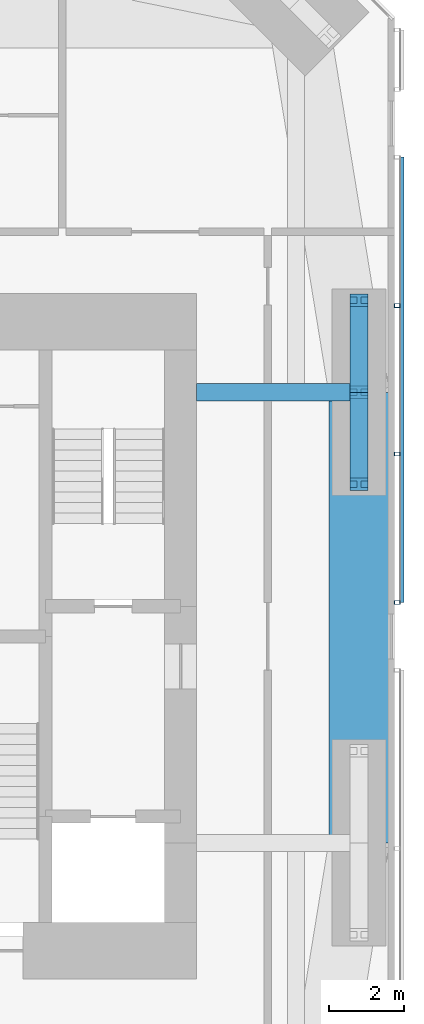
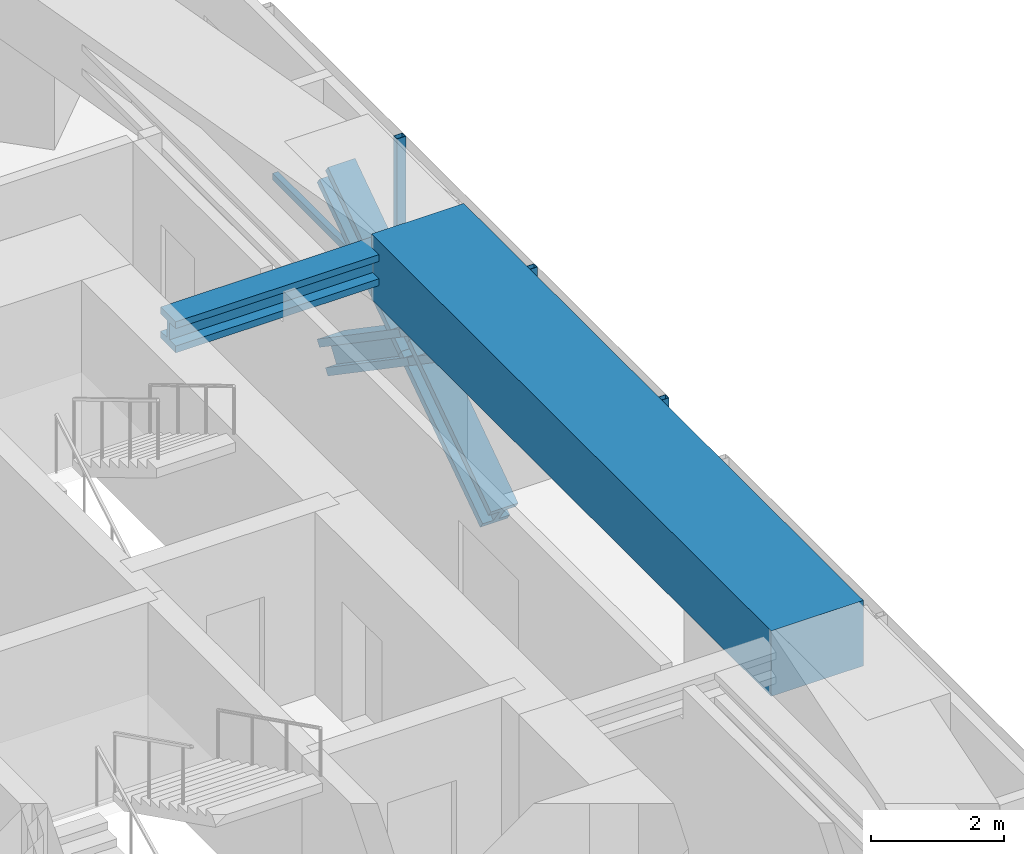
# One storey, part 9 of 23: 8 members, 2 beams, 1 element without a shape of its own.
"""IFC4 building model written with IfcOpenShell, lengths in metres."""

from ifc_helpers import new_model, si_unit, direction, frame, origin, origin_2d, place, context, subcontext, project, spatial, rectangle, hollow_rectangle, i_section, extrude, material, material_profile, profile_set, type_object, element, aggregate, save


model = new_model("IFC4")

# Units and contexts
model_context = context("Model", 3, precision=1e-05, world=origin(), true_north=direction((0.0, 1.0)))
body_context = subcontext(model_context, "Body", "Model", "MODEL_VIEW")
ifc_project = project(units=[si_unit("LENGTHUNIT", "METRE"), si_unit("AREAUNIT", "SQUARE_METRE"), si_unit("VOLUMEUNIT", "CUBIC_METRE"), si_unit("PLANEANGLEUNIT", "RADIAN"), si_unit("MASSUNIT", "GRAM", prefix="KILO")], contexts=[model_context])

# Site, building, storey
site_placement = place(None, origin())
site = spatial("IfcSite", under=ifc_project, at=site_placement, CompositionType="ELEMENT")
building_placement = place(site_placement, origin())
building = spatial("IfcBuilding", under=site, at=building_placement, Name="Jalousie Tower", CompositionType="ELEMENT")
storey_placement = place(building_placement, frame((0.0, 0.0, 108.199951171875)))
storey = spatial("IfcBuildingStorey", under=building, at=storey_placement, Name="L29", CompositionType="ELEMENT", Elevation=108.199951171875)

# Beam
ifc_material_1 = material(Name="Steel ASTM A992 Grade 50", Category="steel")
ifc_material_profile_1 = material_profile(ifc_material_1, i_section(OverallWidth=0.45458984375, OverallDepth=0.569091796875, WebThickness=0.077880859375, FlangeThickness=0.124755859375, at=origin_2d()), Name="W14X730")
ifc_profile_set_1 = profile_set([ifc_material_profile_1], Name="Steel ASTM A992 Grade 50")
beam_type_1 = type_object("IfcBeamType", Name="LEAN COLLECTOR W14X730", PredefinedType="BEAM", material=ifc_profile_set_1)
beam_1_placement = place(storey_placement, frame((48.550048828125, 25.0, 2.825439453125), z_axis=(-1.0, 0.0, 0.0), x_axis=(0.0, -1.0, 0.0)))
element("IfcBeam", 1, at=beam_1_placement, inside=storey, type_object=beam_type_1, Name="Lean collector under L30", PredefinedType="BEAM", context=body_context, shape_type="SweptSolid", body=[
    extrude(i_section(OverallWidth=0.45458984375, OverallDepth=0.569091796875, WebThickness=0.077880859375, FlangeThickness=0.124755859375, at=origin_2d()), origin(), (0.0, 0.0, 1.0), 4.324951171875),
])

# Members
ifc_material_2 = material(Name="Steel ASTM A992 Grade 50", Category="steel")
ifc_material_profile_2 = material_profile(ifc_material_2, i_section(OverallWidth=0.472412109375, OverallDepth=0.5791015625, WebThickness=0.094970703125, FlangeThickness=0.1298828125, at=origin_2d()), Name="W14X808")
ifc_profile_set_2 = profile_set([ifc_material_profile_2], Name="Steel ASTM A992 Grade 50")
member_type_1 = type_object("IfcMemberType", Name="PERIMETER BRACE W14X808", PredefinedType="BRACE", material=ifc_profile_set_2)
for number, where, z_axis, x_axis, name in (
    (2, (48.550048828125, 22.550048828125, -0.599853515625), (0.0, 0.825539243753, 0.564344714713), (-1.0, 0.0, 0.0), "Perimeter brace 07 L29 part 1"),
    (3, (48.550048828125, 25.0, 1.074951171875), (0.0, 0.825500916831, 0.564400776321), (-1.0, 0.0, 0.0), "Perimeter brace 07 L29 part 2"),
    (4, (48.550048828125, 27.449951171875, -0.599853515625), (0.0, -0.825539243753, 0.564344714713), (1.0, 0.0, 0.0), "Perimeter brace 07 L29 part 3"),
    (5, (48.550048828125, 25.0, 1.074951171875), (0.0, -0.825500916831, 0.564400776321), (1.0, 0.0, 0.0), "Perimeter brace 07 L29 part 4"),
):
    element("IfcMember", number, at=place(storey_placement, frame(where, z_axis=z_axis, x_axis=x_axis)), inside=storey, type_object=member_type_1, Name=name, PredefinedType="BRACE", context=body_context, shape_type="SweptSolid", body=[
        extrude(i_section(OverallWidth=0.472412109375, OverallDepth=0.5791015625, WebThickness=0.094970703125, FlangeThickness=0.1298828125, at=origin_2d()), origin(), (0.0, 0.0, 1.0), 2.9677734375),
    ])

# Beam
ifc_material_3 = material(Name="Concrete f'c 40 MPa", Category="concrete")
ifc_material_profile_3 = material_profile(ifc_material_3, rectangle(XDim=1.60009765625, YDim=1.199951171875, at=origin_2d()), Name="RC 1600x1200")
ifc_profile_set_3 = profile_set([ifc_material_profile_3], Name="Concrete f'c 40 MPa")
beam_type_2 = type_object("IfcBeamType", Name="RC BEAM 1600x1200", PredefinedType="BEAM", material=ifc_profile_set_3)
beam_2_placement = place(storey_placement, frame((48.550048828125, 13.0, 2.75), z_axis=(0.0, 1.0, 0.0), x_axis=(-1.0, 0.0, 0.0)))
element("IfcBeam", 6, at=beam_2_placement, inside=storey, type_object=beam_type_2, Name="Edge band beam 06-07 under L30", PredefinedType="BEAM", context=body_context, shape_type="SweptSolid", body=[
    extrude(rectangle(XDim=1.60009765625, YDim=1.199951171875, at=origin_2d()), origin(), (0.0, 0.0, 1.0), 12.0),
])

# Curtain wall, members
ifc_material_4 = material(Name="Perforated aluminium sheet", Category="aluminium")
curtain_wall_type = type_object("IfcCurtainWallType", Name="SOLAR SCREEN SS-1", PredefinedType="USERDEFINED", material=ifc_material_4)
curtain_wall_placement = place(storey_placement, origin())
curtain_wall = element("IfcCurtainWall", 7, at=curtain_wall_placement, inside=storey, type_object=curtain_wall_type, Name="Solar screen L29", ObjectType="SOLAR SCREEN SS-1", PredefinedType="USERDEFINED")
ifc_material_5 = material(Name="Steel ASTM A500 Grade C", Category="steel")
ifc_material_profile_4 = material_profile(ifc_material_5, hollow_rectangle(XDim=0.1015625, YDim=0.15234375, WallThickness=0.00634765625, at=origin_2d()), Name="HSS6X4X1/4")
ifc_profile_set_4 = profile_set([ifc_material_profile_4], Name="Steel ASTM A500 Grade C")
member_type_2 = type_object("IfcMemberType", Name="SOLAR SCREEN SS-1 MULLION", PredefinedType="MULLION", material=ifc_profile_set_4)
member_1_placement = place(storey_placement, frame((49.5712890625, 19.39990234375, -0.119873046875), z_axis=(0.0, 0.0, 1.0), x_axis=(0.0, 1.0, 0.0)))
member_1 = element("IfcMember", 8, at=member_1_placement, type_object=member_type_2, Name="SS1 post 1", PredefinedType="MULLION", context=body_context, shape_type="SweptSolid", body=[
    extrude(hollow_rectangle(XDim=0.1015625, YDim=0.15234375, WallThickness=0.00634765625, at=origin_2d()), origin(), (0.0, 0.0, 1.0), 3.22998046875),
])
member_2_placement = place(storey_placement, frame((49.5712890625, 23.35400390625, -0.119873046875), z_axis=(0.0, 0.0, 1.0), x_axis=(0.0, 1.0, 0.0)))
member_2 = element("IfcMember", 9, at=member_2_placement, type_object=member_type_2, Name="SS1 post 2", PredefinedType="MULLION", context=body_context, shape_type="SweptSolid", body=[
    extrude(hollow_rectangle(XDim=0.1015625, YDim=0.15234375, WallThickness=0.00634765625, at=origin_2d()), origin(), (0.0, 0.0, 1.0), 3.22998046875),
])
member_3_placement = place(storey_placement, frame((49.5712890625, 27.307861328125, -0.119873046875), z_axis=(0.0, 0.0, 1.0), x_axis=(0.0, 1.0, 0.0)))
member_3 = element("IfcMember", 10, at=member_3_placement, type_object=member_type_2, Name="SS1 post 3", PredefinedType="MULLION", context=body_context, shape_type="SweptSolid", body=[
    extrude(hollow_rectangle(XDim=0.1015625, YDim=0.15234375, WallThickness=0.00634765625, at=origin_2d()), origin(), (0.0, 0.0, 1.0), 3.22998046875),
])
ifc_material_6 = material(Name="Extruded aluminium screen rail", Category="aluminium")
ifc_material_profile_5 = material_profile(ifc_material_6, rectangle(XDim=0.1015625, YDim=0.1201171875, at=origin_2d()), Name="RAIL 102x120")
ifc_profile_set_5 = profile_set([ifc_material_profile_5], Name="Extruded aluminium screen rail")
member_type_3 = type_object("IfcMemberType", Name="SOLAR SCREEN SS-1 TRANSOM", PredefinedType="USERDEFINED", material=ifc_profile_set_5)
member_4_placement = place(storey_placement, frame((49.6982421875, 19.39990234375, -0.06005859375), z_axis=(0.0, 1.0, 0.0), x_axis=(-1.0, 0.0, 0.0)))
member_4 = element("IfcMember", 11, at=member_4_placement, type_object=member_type_3, Name="SS1 rail", ObjectType="TRANSOM", PredefinedType="USERDEFINED", context=body_context, shape_type="SweptSolid", body=[
    extrude(rectangle(XDim=0.1015625, YDim=0.1201171875, at=origin_2d()), origin(), (0.0, 0.0, 1.0), 11.862060546875),
])
aggregate(curtain_wall, [member_1, member_2, member_3, member_4])

save(model, "model.ifc")
